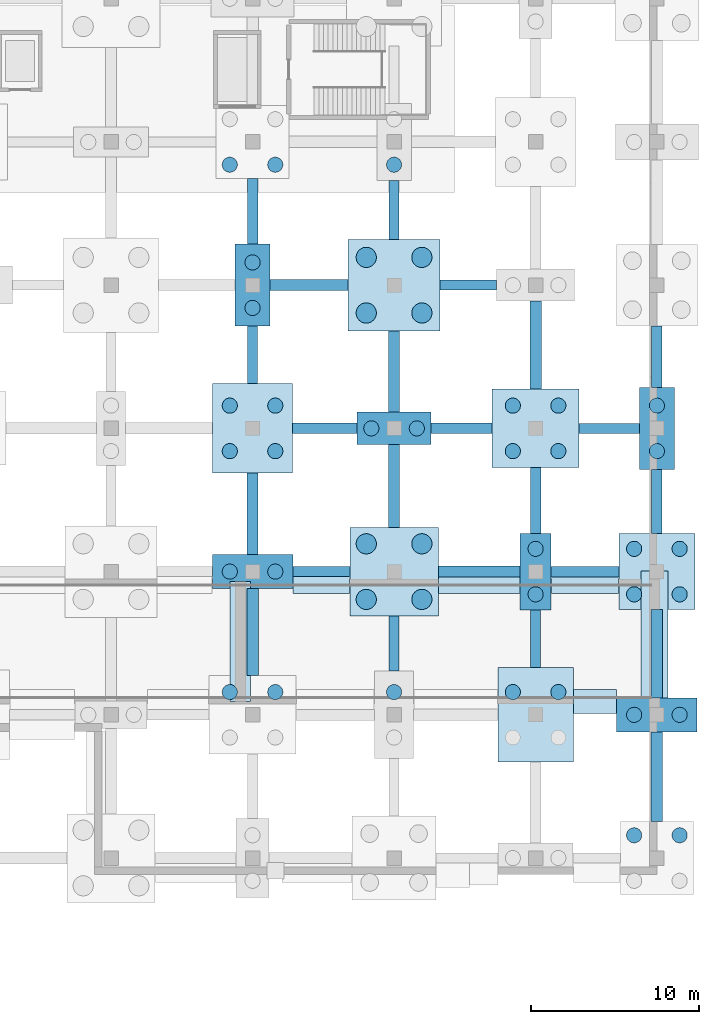
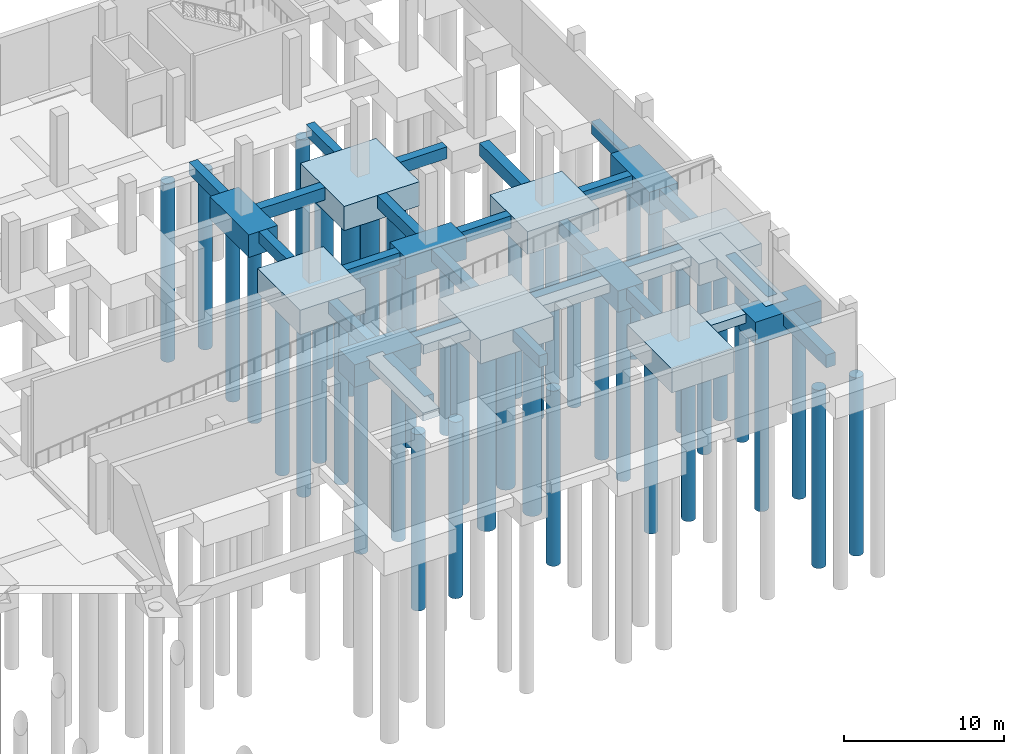
# One storey, part 19 of 34: 42 piles, 41 footings.
"""IFC4 building model written with IfcOpenShell, lengths in metres."""

import ifcopenshell
import ifcopenshell.guid

model = None  # the IFC model being written
_history = None  # IfcOwnerHistory: only IFC2X3 demands one
_inside = {}  # id of a spatial element -> (the spatial element, [elements in it])
_under = {}  # id of a project, library or spatial element -> (it, [spatial elements below it])
_declared = {}  # id of a project -> (the project, [libraries it declares])
_typed = {}  # id of a type object -> (the type object, [elements of that type])
_made_of = {}  # id of a material, layer set ... -> (it, [elements and type objects made of it])


def new_model(schema):
    """Start an empty IFC model of exactly this schema.

    Asked for "IFC4X3", IfcOpenShell would pick the latest addendum, in which some entities
    have other attributes; the version numbers below select the first issue.
    IFC2X3 requires an IfcOwnerHistory on every rooted entity: one is made here for all.
    """
    global model, _history
    if schema == "IFC4X3":
        model = ifcopenshell.file(schema_version=(4, 3, 0, 0))
    else:
        model = ifcopenshell.file(schema=schema)
    _inside.clear()
    _under.clear()
    _declared.clear()
    _typed.clear()
    _made_of.clear()
    _history = None
    if model.schema == "IFC2X3":
        org = make("IfcOrganization", Name="unknown")
        user = make(
            "IfcPersonAndOrganization",
            ThePerson=make("IfcPerson", FamilyName="unknown"),
            TheOrganization=org,
        )
        app = make(
            "IfcApplication",
            ApplicationDeveloper=org,
            Version="unknown",
            ApplicationFullName="unknown",
            ApplicationIdentifier="unknown",
        )
        _history = make(
            "IfcOwnerHistory",
            OwningUser=user,
            OwningApplication=app,
            ChangeAction="ADDED",
            CreationDate=0,
        )
    return model


def make(cls, **values):
    """One entity of the class cls with the attributes given. An attribute that is None is left unset."""
    return model.create_entity(
        cls, **{name: value for name, value in values.items() if value is not None}
    )


def rooted(cls, **values):
    """An entity with a GlobalId (a new one), such as an element, a storey or a relation."""
    return make(cls, GlobalId=ifcopenshell.guid.new(), OwnerHistory=_history, **values)


def si_unit(unit_type, name, prefix=None):
    """IfcSIUnit, for example si_unit("LENGTHUNIT", "METRE", prefix="MILLI")."""
    return make("IfcSIUnit", UnitType=unit_type, Prefix=prefix, Name=name)


def assignment(units):
    """IfcUnitAssignment: the units of a project."""
    return None if units is None else make("IfcUnitAssignment", Units=units)


def point(xyz):
    """IfcCartesianPoint."""
    return None if xyz is None else make("IfcCartesianPoint", Coordinates=xyz)


def direction(xyz):
    """IfcDirection."""
    return None if xyz is None else make("IfcDirection", DirectionRatios=xyz)


def frame(location, z_axis=None, x_axis=None):
    """IfcAxis2Placement3D, a coordinate frame: its origin and axes. An axis left out is left unset."""
    return make(
        "IfcAxis2Placement3D",
        Location=point(location),
        Axis=direction(z_axis),
        RefDirection=direction(x_axis),
    )


def frame_2d(location, x_axis=None):
    """IfcAxis2Placement2D, a coordinate frame in the plane: its origin and x axis."""
    return make(
        "IfcAxis2Placement2D", Location=point(location), RefDirection=direction(x_axis)
    )


def origin():
    """The frame at (0, 0, 0) with its axes left unset."""
    return frame((0.0, 0.0, 0.0))


def origin_2d():
    """The frame at (0, 0) in the plane with its x axis left unset."""
    return frame_2d((0.0, 0.0))


def place(relative_to, where):
    """IfcLocalPlacement: puts the frame where relative to a parent placement (None: the world)."""
    return make(
        "IfcLocalPlacement", PlacementRelTo=relative_to, RelativePlacement=where
    )


def context(
    kind, dimensions, precision=None, world=None, true_north=None, identifier=None
):
    """IfcGeometricRepresentationContext, for example the 3D "Model" context."""
    return make(
        "IfcGeometricRepresentationContext",
        ContextIdentifier=identifier,
        ContextType=kind,
        CoordinateSpaceDimension=dimensions,
        Precision=precision,
        WorldCoordinateSystem=world,
        TrueNorth=true_north,
    )


def subcontext(parent, identifier, kind, view, scale=None):
    """IfcGeometricRepresentationSubContext, for example "Body" below "Model"."""
    return make(
        "IfcGeometricRepresentationSubContext",
        ContextIdentifier=identifier,
        ContextType=kind,
        ParentContext=parent,
        TargetScale=scale,
        TargetView=view,
    )


def project(units=None, contexts=None):
    """IfcProject with its units and contexts."""
    return rooted(
        "IfcProject",
        Name="project",
        RepresentationContexts=contexts,
        UnitsInContext=assignment(units),
    )


def spatial(cls, under=None, at=None, **own):
    """A site, building, storey or space (cls), placed at a placement, below another one or the project."""
    s = rooted(cls, ObjectPlacement=at, **own)
    if under is not None:
        _under.setdefault(under.id(), (under, []))[1].append(s)
    return s


def profile(cls, at=None, kind="AREA", **sizes):
    """A parametric profile (cls). Its sizes go by their IFC names, for example OverallWidth=200.0."""
    return make(cls, ProfileType=kind, Position=at, **sizes)


def rectangle(**sizes):
    """IfcRectangleProfileDef."""
    return profile("IfcRectangleProfileDef", **sizes)


def circle(**sizes):
    """IfcCircleProfileDef."""
    return profile("IfcCircleProfileDef", **sizes)


def extrude(swept, where, along, depth):
    """IfcExtrudedAreaSolid: the profile swept, set in the frame where, extruded along a direction by depth."""
    return make(
        "IfcExtrudedAreaSolid",
        SweptArea=swept,
        Position=where,
        ExtrudedDirection=direction(along),
        Depth=depth,
    )


def shape(context_of_items, identifier, shape_type, items):
    """IfcShapeRepresentation: the items that make up one representation, for example the "Body"."""
    return make(
        "IfcShapeRepresentation",
        ContextOfItems=context_of_items,
        RepresentationIdentifier=identifier,
        RepresentationType=shape_type,
        Items=items,
    )


def material(Name=None, Category=None):
    """IfcMaterial."""
    return make("IfcMaterial", Name=Name, Category=Category)


def material_profile(
    of_material, cross_section, Name=None, Category=None, Priority=None
):
    """IfcMaterialProfile: a cross section and its material."""
    return make(
        "IfcMaterialProfile",
        Name=Name,
        Material=of_material,
        Profile=cross_section,
        Priority=Priority,
        Category=Category,
    )


def profile_set(profiles, Name=None, composite=None):
    """IfcMaterialProfileSet."""
    return make(
        "IfcMaterialProfileSet",
        Name=Name,
        MaterialProfiles=profiles,
        CompositeProfile=composite,
    )


def made_of(thing, what):
    """Note that an element or type object is made of a material, layer set ...; save() writes the relation."""
    if what is not None:
        _made_of.setdefault(what.id(), (what, []))[1].append(thing)
    return thing


def type_object(cls, material=None, **own):
    """A type object (cls), such as IfcWallType, which elements share."""
    return made_of(rooted(cls, **own), material)


def element(
    cls,
    number,
    at=None,
    inside=None,
    cuts=None,
    type_object=None,
    material=None,
    context=None,
    identifier="Body",
    shape_type=None,
    held_by="IfcProductDefinitionShape",
    body=None,
    shapes=None,
    **own,
):
    """One element of the class cls, such as IfcWall. Its Tag is "e" and its number.

    at: its placement. inside: the storey or other place that contains it. cuts: it is an
    opening in that element (IfcRelVoidsElement). A single representation is given by context,
    identifier, shape_type and body (its items); several are given by shapes. held_by: the class
    of the entity that holds the representations. save() writes the other relations.
    """
    e = rooted(cls, Tag="e%d" % number, ObjectPlacement=at, **own)
    if body is not None:
        shapes = [shape(context, identifier, shape_type, body)]
    if shapes is not None:
        e.Representation = make(held_by, Representations=shapes)
    if inside is not None:
        _inside.setdefault(inside.id(), (inside, []))[1].append(e)
    if cuts is not None:
        rooted(
            "IfcRelVoidsElement", RelatingBuildingElement=cuts, RelatedOpeningElement=e
        )
    if type_object is not None:
        _typed.setdefault(type_object.id(), (type_object, []))[1].append(e)
    return made_of(e, material)


def aggregate(whole, parts):
    """IfcRelAggregates: a whole, such as a stair, and the parts it consists of."""
    return rooted("IfcRelAggregates", RelatingObject=whole, RelatedObjects=parts)


def save(model, path):
    """Write the relations noted so far, then the file.

    IfcRelAggregates (storeys below a building ...), IfcRelContainedInSpatialStructure (elements
    in a storey), IfcRelDefinesByType, IfcRelAssociatesMaterial and IfcRelDeclares: one each for
    every whole, place, type object, material and project.
    """
    for whole, parts in _under.values():
        aggregate(whole, parts)
    for where, things in _inside.values():
        rooted(
            "IfcRelContainedInSpatialStructure",
            RelatedElements=things,
            RelatingStructure=where,
        )
    for kind, things in _typed.values():
        rooted("IfcRelDefinesByType", RelatedObjects=things, RelatingType=kind)
    for what, things in _made_of.values():
        rooted("IfcRelAssociatesMaterial", RelatedObjects=things, RelatingMaterial=what)
    for by, libraries in _declared.values():
        rooted("IfcRelDeclares", RelatingContext=by, RelatedDefinitions=libraries)
    model.write(path)


model = new_model("IFC4")

# Units and contexts
model_context = context("Model", 3, precision=1e-05, world=origin(), true_north=direction((0.0, 1.0)))
body_context = subcontext(model_context, "Body", "Model", "MODEL_VIEW")
ifc_project = project(units=[si_unit("LENGTHUNIT", "METRE"), si_unit("AREAUNIT", "SQUARE_METRE"), si_unit("VOLUMEUNIT", "CUBIC_METRE"), si_unit("PLANEANGLEUNIT", "RADIAN"), si_unit("MASSUNIT", "GRAM", prefix="KILO")], contexts=[model_context])

# Site, building, storey
site_placement = place(None, origin())
site = spatial("IfcSite", under=ifc_project, at=site_placement, CompositionType="ELEMENT")
building_placement = place(site_placement, origin())
building = spatial("IfcBuilding", under=site, at=building_placement, Name="Solvento Point Concert Hall", CompositionType="ELEMENT")
storey_placement = place(building_placement, frame((0.0, 0.0, -5.39990234375)))
storey = spatial("IfcBuildingStorey", under=building, at=storey_placement, Name="B01", CompositionType="ELEMENT", Elevation=-5.39990234375)

# Piles
ifc_material_1 = material(Name="Concrete C40/50", Category="concrete")
ifc_material_profile_1 = material_profile(ifc_material_1, circle(Radius=0.60009765625, at=origin_2d()), Name="BP-1200")
ifc_profile_set_1 = profile_set([ifc_material_profile_1], Name="Concrete C40/50")
pile_type_1 = type_object("IfcPileType", Name="BoredPile_1200", PredefinedType="BORED", material=ifc_profile_set_1)
for number, where, z_axis, x_axis, name in (
    (1, (198.75, 100.35009765625, -1.7001953125), (0.0, 0.0, -1.0), (1.0, 0.0, 0.0), "Bored pile BoredPile_1200 #745"),
    (2, (202.050048828125, 100.35009765625, -1.7001953125), (0.0, 0.0, -1.0), (1.0, 0.0, 0.0), "Bored pile BoredPile_1200 #746"),
    (3, (198.75, 103.64990234375, -1.7001953125), (0.0, 0.0, -1.0), (1.0, 0.0, 0.0), "Bored pile BoredPile_1200 #747"),
    (4, (202.050048828125, 103.64990234375, -1.7001953125), (0.0, 0.0, -1.0), (1.0, 0.0, 0.0), "Bored pile BoredPile_1200 #748"),
):
    element("IfcPile", number, at=place(storey_placement, frame(where, z_axis=z_axis, x_axis=x_axis)), inside=storey, type_object=pile_type_1, Name=name, PredefinedType="BORED", context=body_context, shape_type="SweptSolid", body=[
        extrude(circle(Radius=0.60009765625, at=origin_2d()), origin(), (0.0, 0.0, 1.0), 13.39990234375),
    ])
for number, where, z_axis, x_axis, name in (
    (5, (198.75, 117.35009765625, -1.75), (0.0, 0.0, -1.0), (1.0, 0.0, 0.0), "Bored pile BoredPile_1200 #751"),
    (6, (202.050048828125, 117.35009765625, -1.75), (0.0, 0.0, -1.0), (1.0, 0.0, 0.0), "Bored pile BoredPile_1200 #752"),
    (7, (198.75, 120.64990234375, -1.75), (0.0, 0.0, -1.0), (1.0, 0.0, 0.0), "Bored pile BoredPile_1200 #753"),
    (8, (202.050048828125, 120.64990234375, -1.75), (0.0, 0.0, -1.0), (1.0, 0.0, 0.0), "Bored pile BoredPile_1200 #754"),
):
    element("IfcPile", number, at=place(storey_placement, frame(where, z_axis=z_axis, x_axis=x_axis)), inside=storey, type_object=pile_type_1, Name=name, PredefinedType="BORED", context=body_context, shape_type="SweptSolid", body=[
        extrude(circle(Radius=0.60009765625, at=origin_2d()), origin(), (0.0, 0.0, 1.0), 13.35009765625),
    ])
ifc_material_2 = material(Name="Concrete C40/50", Category="concrete")
ifc_material_profile_2 = material_profile(ifc_material_2, circle(Radius=0.449951171875, at=origin_2d()), Name="BP-900")
ifc_profile_set_2 = profile_set([ifc_material_profile_2], Name="Concrete C40/50")
pile_type_2 = type_object("IfcPileType", Name="BoredPile_900", PredefinedType="BORED", material=ifc_profile_set_2)
for number, where, z_axis, x_axis, name in (
    (9, (190.64990234375, 94.85009765625, -1.64013671875), (0.0, 0.0, -1.0), (1.0, 0.0, 0.0), "Bored pile BoredPile_900 #711"),
    (10, (193.35009765625, 94.85009765625, -1.64013671875), (0.0, 0.0, -1.0), (1.0, 0.0, 0.0), "Bored pile BoredPile_900 #712"),
):
    element("IfcPile", number, at=place(storey_placement, frame(where, z_axis=z_axis, x_axis=x_axis)), inside=storey, type_object=pile_type_2, Name=name, PredefinedType="BORED", context=body_context, shape_type="SweptSolid", body=[
        extrude(circle(Radius=0.449951171875, at=origin_2d()), origin(), (0.0, 0.0, 1.0), 13.4599609375),
    ])
for number, where, z_axis, x_axis, name in (
    (11, (190.64990234375, 102.0, -1.60009765625), (0.0, 0.0, -1.0), (1.0, 0.0, 0.0), "Bored pile BoredPile_900 #713"),
    (12, (193.35009765625, 102.0, -1.60009765625), (0.0, 0.0, -1.0), (1.0, 0.0, 0.0), "Bored pile BoredPile_900 #714"),
):
    element("IfcPile", number, at=place(storey_placement, frame(where, z_axis=z_axis, x_axis=x_axis)), inside=storey, type_object=pile_type_2, Name=name, PredefinedType="BORED", context=body_context, shape_type="SweptSolid", body=[
        extrude(circle(Radius=0.449951171875, at=origin_2d()), origin(), (0.0, 0.0, 1.0), 13.5),
    ])
for number, where, z_axis, x_axis, name in (
    (13, (190.64990234375, 109.14990234375, -1.760009765625), (0.0, 0.0, -1.0), (1.0, 0.0, 0.0), "Bored pile BoredPile_900 #715"),
    (14, (193.35009765625, 109.14990234375, -1.760009765625), (0.0, 0.0, -1.0), (1.0, 0.0, 0.0), "Bored pile BoredPile_900 #716"),
    (15, (190.64990234375, 111.85009765625, -1.760009765625), (0.0, 0.0, -1.0), (1.0, 0.0, 0.0), "Bored pile BoredPile_900 #717"),
    (16, (193.35009765625, 111.85009765625, -1.760009765625), (0.0, 0.0, -1.0), (1.0, 0.0, 0.0), "Bored pile BoredPile_900 #718"),
):
    element("IfcPile", number, at=place(storey_placement, frame(where, z_axis=z_axis, x_axis=x_axis)), inside=storey, type_object=pile_type_2, Name=name, PredefinedType="BORED", context=body_context, shape_type="SweptSolid", body=[
        extrude(circle(Radius=0.449951171875, at=origin_2d()), origin(), (0.0, 0.0, 1.0), 13.340087890625),
    ])
for number, where, z_axis, x_axis, name in (
    (17, (192.0, 117.64990234375, -1.6201171875), (0.0, 0.0, -1.0), (1.0, 0.0, 0.0), "Bored pile BoredPile_900 #719"),
    (18, (192.0, 120.35009765625, -1.6201171875), (0.0, 0.0, -1.0), (1.0, 0.0, 0.0), "Bored pile BoredPile_900 #720"),
):
    element("IfcPile", number, at=place(storey_placement, frame(where, z_axis=z_axis, x_axis=x_axis)), inside=storey, type_object=pile_type_2, Name=name, PredefinedType="BORED", context=body_context, shape_type="SweptSolid", body=[
        extrude(circle(Radius=0.449951171875, at=origin_2d()), origin(), (0.0, 0.0, 1.0), 13.47998046875),
    ])
for number, where, z_axis, x_axis, name in (
    (19, (190.64990234375, 126.14990234375, -1.5), (0.0, 0.0, -1.0), (1.0, 0.0, 0.0), "Bored pile BoredPile_900 #721"),
    (20, (193.35009765625, 126.14990234375, -1.5), (0.0, 0.0, -1.0), (1.0, 0.0, 0.0), "Bored pile BoredPile_900 #722"),
):
    element("IfcPile", number, at=place(storey_placement, frame(where, z_axis=z_axis, x_axis=x_axis)), inside=storey, type_object=pile_type_2, Name=name, PredefinedType="BORED", context=body_context, shape_type="SweptSolid", body=[
        extrude(circle(Radius=0.449951171875, at=origin_2d()), origin(), (0.0, 0.0, 1.0), 13.60009765625),
    ])
pile_1_placement = place(storey_placement, frame((200.39990234375, 94.85009765625, -1.739990234375), z_axis=(0.0, 0.0, -1.0), x_axis=(1.0, 0.0, 0.0)))
element("IfcPile", 21, at=pile_1_placement, inside=storey, type_object=pile_type_2, Name="Bored pile BoredPile_900 #744", PredefinedType="BORED", context=body_context, shape_type="SweptSolid", body=[
    extrude(circle(Radius=0.449951171875, at=origin_2d()), origin(), (0.0, 0.0, 1.0), 13.360107421875),
])
for number, where, z_axis, x_axis, name in (
    (22, (199.050048828125, 110.5, -1.5400390625), (0.0, 0.0, -1.0), (1.0, 0.0, 0.0), "Bored pile BoredPile_900 #749"),
    (23, (201.75, 110.5, -1.5400390625), (0.0, 0.0, -1.0), (1.0, 0.0, 0.0), "Bored pile BoredPile_900 #750"),
):
    element("IfcPile", number, at=place(storey_placement, frame(where, z_axis=z_axis, x_axis=x_axis)), inside=storey, type_object=pile_type_2, Name=name, PredefinedType="BORED", context=body_context, shape_type="SweptSolid", body=[
        extrude(circle(Radius=0.449951171875, at=origin_2d()), origin(), (0.0, 0.0, 1.0), 13.56005859375),
    ])
pile_2_placement = place(storey_placement, frame((200.39990234375, 126.14990234375, -1.56005859375), z_axis=(0.0, 0.0, -1.0), x_axis=(1.0, 0.0, 0.0)))
element("IfcPile", 24, at=pile_2_placement, inside=storey, type_object=pile_type_2, Name="Bored pile BoredPile_900 #755", PredefinedType="BORED", context=body_context, shape_type="SweptSolid", body=[
    extrude(circle(Radius=0.449951171875, at=origin_2d()), origin(), (0.0, 0.0, 1.0), 13.5400390625),
])
for number, where, z_axis, x_axis, name in (
    (25, (207.449951171875, 94.85009765625, -1.72021484375), (0.0, 0.0, -1.0), (1.0, 0.0, 0.0), "Bored pile BoredPile_900 #777"),
    (26, (210.14990234375, 94.85009765625, -1.72021484375), (0.0, 0.0, -1.0), (1.0, 0.0, 0.0), "Bored pile BoredPile_900 #778"),
):
    element("IfcPile", number, at=place(storey_placement, frame(where, z_axis=z_axis, x_axis=x_axis)), inside=storey, type_object=pile_type_2, Name=name, PredefinedType="BORED", context=body_context, shape_type="SweptSolid", body=[
        extrude(circle(Radius=0.449951171875, at=origin_2d()), origin(), (0.0, 0.0, 1.0), 13.3798828125),
    ])
for number, where, z_axis, x_axis, name in (
    (27, (208.800048828125, 100.64990234375, -1.52001953125), (0.0, 0.0, -1.0), (1.0, 0.0, 0.0), "Bored pile BoredPile_900 #779"),
    (28, (208.800048828125, 103.35009765625, -1.52001953125), (0.0, 0.0, -1.0), (1.0, 0.0, 0.0), "Bored pile BoredPile_900 #780"),
):
    element("IfcPile", number, at=place(storey_placement, frame(where, z_axis=z_axis, x_axis=x_axis)), inside=storey, type_object=pile_type_2, Name=name, PredefinedType="BORED", context=body_context, shape_type="SweptSolid", body=[
        extrude(circle(Radius=0.449951171875, at=origin_2d()), origin(), (0.0, 0.0, 1.0), 13.580078125),
    ])
for number, where, z_axis, x_axis, name in (
    (29, (207.449951171875, 109.14990234375, -1.64013671875), (0.0, 0.0, -1.0), (1.0, 0.0, 0.0), "Bored pile BoredPile_900 #781"),
    (30, (210.14990234375, 109.14990234375, -1.64013671875), (0.0, 0.0, -1.0), (1.0, 0.0, 0.0), "Bored pile BoredPile_900 #782"),
    (31, (207.449951171875, 111.85009765625, -1.64013671875), (0.0, 0.0, -1.0), (1.0, 0.0, 0.0), "Bored pile BoredPile_900 #783"),
    (32, (210.14990234375, 111.85009765625, -1.64013671875), (0.0, 0.0, -1.0), (1.0, 0.0, 0.0), "Bored pile BoredPile_900 #784"),
):
    element("IfcPile", number, at=place(storey_placement, frame(where, z_axis=z_axis, x_axis=x_axis)), inside=storey, type_object=pile_type_2, Name=name, PredefinedType="BORED", context=body_context, shape_type="SweptSolid", body=[
        extrude(circle(Radius=0.449951171875, at=origin_2d()), origin(), (0.0, 0.0, 1.0), 13.4599609375),
    ])
for number, where, z_axis, x_axis, name in (
    (33, (214.64990234375, 86.35009765625, -1.5), (0.0, 0.0, -1.0), (1.0, 0.0, 0.0), "Bored pile BoredPile_900 #795"),
    (34, (217.35009765625, 86.35009765625, -1.5), (0.0, 0.0, -1.0), (1.0, 0.0, 0.0), "Bored pile BoredPile_900 #796"),
):
    element("IfcPile", number, at=place(storey_placement, frame(where, z_axis=z_axis, x_axis=x_axis)), inside=storey, type_object=pile_type_2, Name=name, PredefinedType="BORED", context=body_context, shape_type="SweptSolid", body=[
        extrude(circle(Radius=0.449951171875, at=origin_2d()), origin(), (0.0, 0.0, 1.0), 13.60009765625),
    ])
for number, where, z_axis, x_axis, name in (
    (35, (214.64990234375, 93.5, -1.60009765625), (0.0, 0.0, -1.0), (1.0, 0.0, 0.0), "Bored pile BoredPile_900 #797"),
    (36, (217.35009765625, 93.5, -1.60009765625), (0.0, 0.0, -1.0), (1.0, 0.0, 0.0), "Bored pile BoredPile_900 #798"),
):
    element("IfcPile", number, at=place(storey_placement, frame(where, z_axis=z_axis, x_axis=x_axis)), inside=storey, type_object=pile_type_2, Name=name, PredefinedType="BORED", context=body_context, shape_type="SweptSolid", body=[
        extrude(circle(Radius=0.449951171875, at=origin_2d()), origin(), (0.0, 0.0, 1.0), 13.5),
    ])
for number, where, z_axis, x_axis, name in (
    (37, (214.64990234375, 100.64990234375, -1.550048828125), (0.0, 0.0, -1.0), (1.0, 0.0, 0.0), "Bored pile BoredPile_900 #799"),
    (38, (217.35009765625, 100.64990234375, -1.550048828125), (0.0, 0.0, -1.0), (1.0, 0.0, 0.0), "Bored pile BoredPile_900 #800"),
    (39, (214.64990234375, 103.35009765625, -1.550048828125), (0.0, 0.0, -1.0), (1.0, 0.0, 0.0), "Bored pile BoredPile_900 #801"),
    (40, (217.35009765625, 103.35009765625, -1.550048828125), (0.0, 0.0, -1.0), (1.0, 0.0, 0.0), "Bored pile BoredPile_900 #802"),
):
    element("IfcPile", number, at=place(storey_placement, frame(where, z_axis=z_axis, x_axis=x_axis)), inside=storey, type_object=pile_type_2, Name=name, PredefinedType="BORED", context=body_context, shape_type="SweptSolid", body=[
        extrude(circle(Radius=0.449951171875, at=origin_2d()), origin(), (0.0, 0.0, 1.0), 13.550048828125),
    ])
for number, where, z_axis, x_axis, name in (
    (41, (216.0, 109.14990234375, -1.6201171875), (0.0, 0.0, -1.0), (1.0, 0.0, 0.0), "Bored pile BoredPile_900 #803"),
    (42, (216.0, 111.85009765625, -1.6201171875), (0.0, 0.0, -1.0), (1.0, 0.0, 0.0), "Bored pile BoredPile_900 #804"),
):
    element("IfcPile", number, at=place(storey_placement, frame(where, z_axis=z_axis, x_axis=x_axis)), inside=storey, type_object=pile_type_2, Name=name, PredefinedType="BORED", context=body_context, shape_type="SweptSolid", body=[
        extrude(circle(Radius=0.449951171875, at=origin_2d()), origin(), (0.0, 0.0, 1.0), 13.47998046875),
    ])

# Footings
ifc_material_3 = material(Name="Concrete C40/50", Category="concrete")
footing_type_1 = type_object("IfcFootingType", Name="PileCap_2D", PredefinedType="PILE_CAP", material=ifc_material_3)
footing_1_placement = place(storey_placement, frame((208.800048828125, 102.0, -1.6201171875), z_axis=(0.0, 0.0, 1.0), x_axis=(1.0, 0.0, 0.0)))
element("IfcFooting", 43, at=footing_1_placement, inside=storey, type_object=footing_type_1, Name="Pile cap PC-2D at G-26-N", PredefinedType="PILE_CAP", context=body_context, shape_type="SweptSolid", body=[
    extrude(rectangle(XDim=1.840087890625, YDim=4.5400390625, at=origin_2d()), origin(), (0.0, 0.0, 1.0), 1.6201171875),
])
ifc_material_4 = material(Name="Concrete C40/50", Category="concrete")
footing_type_2 = type_object("IfcFootingType", Name="PileCap_2G", PredefinedType="PILE_CAP", material=ifc_material_4)
for number, where, z_axis, x_axis, name in (
    (44, (192.0, 102.0, -1.7001953125), (0.0, 0.0, 1.0), (1.0, 0.0, 0.0), "Pile cap PC-2G at G-24-N"),
    (45, (216.0, 93.5, -1.7001953125), (0.0, 0.0, 1.0), (1.0, 0.0, 0.0), "Pile cap PC-2G at G-27-M"),
):
    element("IfcFooting", number, at=place(storey_placement, frame(where, z_axis=z_axis, x_axis=x_axis)), inside=storey, type_object=footing_type_2, Name=name, PredefinedType="PILE_CAP", context=body_context, shape_type="SweptSolid", body=[
        extrude(rectangle(XDim=4.780029296875, YDim=2.02001953125, at=origin_2d()), origin(), (0.0, 0.0, 1.0), 1.699951171875),
    ])
ifc_material_5 = material(Name="Concrete C40/50", Category="concrete")
footing_type_3 = type_object("IfcFootingType", Name="PileCap_2H", PredefinedType="PILE_CAP", material=ifc_material_5)
for number, where, z_axis, x_axis, name in (
    (46, (192.0, 119.0, -1.72021484375), (0.0, 0.0, 1.0), (1.0, 0.0, 0.0), "Pile cap PC-2H at G-24-Q"),
    (47, (216.0, 110.5, -1.72021484375), (0.0, 0.0, 1.0), (1.0, 0.0, 0.0), "Pile cap PC-2H at G-27-P"),
):
    element("IfcFooting", number, at=place(storey_placement, frame(where, z_axis=z_axis, x_axis=x_axis)), inside=storey, type_object=footing_type_3, Name=name, PredefinedType="PILE_CAP", context=body_context, shape_type="SweptSolid", body=[
        extrude(rectangle(XDim=2.080078125, YDim=4.860107421875, at=origin_2d()), origin(), (0.0, 0.0, 1.0), 1.719970703125),
    ])
ifc_material_6 = material(Name="Concrete C40/50", Category="concrete")
footing_type_4 = type_object("IfcFootingType", Name="PileCap_2N", PredefinedType="PILE_CAP", material=ifc_material_6)
footing_2_placement = place(storey_placement, frame((200.39990234375, 110.5, -1.64013671875), z_axis=(0.0, 0.0, 1.0), x_axis=(1.0, 0.0, 0.0)))
element("IfcFooting", 48, at=footing_2_placement, inside=storey, type_object=footing_type_4, Name="Pile cap PC-2N at G-25-P", PredefinedType="PILE_CAP", context=body_context, shape_type="SweptSolid", body=[
    extrude(rectangle(XDim=4.39990234375, YDim=1.93994140625, at=origin_2d()), origin(), (0.0, 0.0, 1.0), 1.639892578125),
])
ifc_material_7 = material(Name="Concrete C40/50", Category="concrete")
footing_type_5 = type_object("IfcFootingType", Name="PileCap_4B", PredefinedType="PILE_CAP", material=ifc_material_7)
footing_3_placement = place(storey_placement, frame((216.0, 102.0, -1.650146484375), z_axis=(0.0, 0.0, 1.0), x_axis=(1.0, 0.0, 0.0)))
element("IfcFooting", 49, at=footing_3_placement, inside=storey, type_object=footing_type_5, Name="Pile cap PC-4B at G-27-N", PredefinedType="PILE_CAP", context=body_context, shape_type="SweptSolid", body=[
    extrude(rectangle(XDim=4.5, YDim=4.5, at=origin_2d()), origin(), (0.0, 0.0, 1.0), 1.64990234375),
])
ifc_material_8 = material(Name="Concrete C40/50", Category="concrete")
footing_type_6 = type_object("IfcFootingType", Name="PileCap_4E", PredefinedType="PILE_CAP", material=ifc_material_8)
footing_4_placement = place(storey_placement, frame((200.39990234375, 102.0, -1.80029296875), z_axis=(0.0, 0.0, 1.0), x_axis=(1.0, 0.0, 0.0)))
element("IfcFooting", 50, at=footing_4_placement, inside=storey, type_object=footing_type_6, Name="Pile cap PC-4E at G-25-N", PredefinedType="PILE_CAP", context=body_context, shape_type="SweptSolid", body=[
    extrude(rectangle(XDim=5.25, YDim=5.25, at=origin_2d()), origin(), (0.0, 0.0, 1.0), 1.800048828125),
])
ifc_material_9 = material(Name="Concrete C40/50", Category="concrete")
footing_type_7 = type_object("IfcFootingType", Name="PileCap_4F", PredefinedType="PILE_CAP", material=ifc_material_9)
footing_5_placement = place(storey_placement, frame((200.39990234375, 119.0, -1.85009765625), z_axis=(0.0, 0.0, 1.0), x_axis=(1.0, 0.0, 0.0)))
element("IfcFooting", 51, at=footing_5_placement, inside=storey, type_object=footing_type_7, Name="Pile cap PC-4F at G-25-Q", PredefinedType="PILE_CAP", context=body_context, shape_type="SweptSolid", body=[
    extrude(rectangle(XDim=5.43994140625, YDim=5.43994140625, at=origin_2d()), origin(), (0.0, 0.0, 1.0), 1.85009765625),
])
ifc_material_10 = material(Name="Concrete C40/50", Category="concrete")
footing_type_8 = type_object("IfcFootingType", Name="PileCap_4K", PredefinedType="PILE_CAP", material=ifc_material_10)
footing_6_placement = place(storey_placement, frame((208.800048828125, 93.5, -1.8203125), z_axis=(0.0, 0.0, 1.0), x_axis=(1.0, 0.0, 0.0)))
element("IfcFooting", 52, at=footing_6_placement, inside=storey, type_object=footing_type_8, Name="Pile cap PC-4K at G-26-M", PredefinedType="PILE_CAP", context=body_context, shape_type="SweptSolid", body=[
    extrude(rectangle(XDim=4.47998046875, YDim=5.60009765625, at=origin_2d()), origin(), (0.0, 0.0, 1.0), 1.820068359375),
])
ifc_material_11 = material(Name="Concrete C40/50", Category="concrete")
footing_type_9 = type_object("IfcFootingType", Name="PileCap_4L", PredefinedType="PILE_CAP", material=ifc_material_11)
footing_7_placement = place(storey_placement, frame((208.800048828125, 110.5, -1.740234375), z_axis=(0.0, 0.0, 1.0), x_axis=(1.0, 0.0, 0.0)))
element("IfcFooting", 53, at=footing_7_placement, inside=storey, type_object=footing_type_9, Name="Pile cap PC-4L at G-26-P", PredefinedType="PILE_CAP", context=body_context, shape_type="SweptSolid", body=[
    extrude(rectangle(XDim=5.159912109375, YDim=4.659912109375, at=origin_2d()), origin(), (0.0, 0.0, 1.0), 1.739990234375),
])
ifc_material_12 = material(Name="Concrete C40/50", Category="concrete")
footing_type_10 = type_object("IfcFootingType", Name="PileCap_4M", PredefinedType="PILE_CAP", material=ifc_material_12)
footing_8_placement = place(storey_placement, frame((192.0, 110.5, -1.8603515625), z_axis=(0.0, 0.0, 1.0), x_axis=(1.0, 0.0, 0.0)))
element("IfcFooting", 54, at=footing_8_placement, inside=storey, type_object=footing_type_10, Name="Pile cap PC-4M at G-24-P", PredefinedType="PILE_CAP", context=body_context, shape_type="SweptSolid", body=[
    extrude(rectangle(XDim=4.739990234375, YDim=5.300048828125, at=origin_2d()), origin(), (0.0, 0.0, 1.0), 1.860107421875),
])
ifc_material_13 = material(Name="Concrete C40/50", Category="concrete")
footing_type_11 = type_object("IfcFootingType", Name="StripFooting_1200x600", PredefinedType="STRIP_FOOTING", material=ifc_material_13)
footing_9_placement = place(storey_placement, frame((191.27490234375, 97.85009765625, -0.60009765625), z_axis=(0.0, 0.0, 1.0), x_axis=(0.0, 1.0, 0.0)))
element("IfcFooting", 55, at=footing_9_placement, inside=storey, type_object=footing_type_11, Name="Strip footing SF-01", PredefinedType="STRIP_FOOTING", context=body_context, shape_type="SweptSolid", body=[
    extrude(rectangle(XDim=7.10009765625, YDim=1.199951171875, at=origin_2d()), origin(), (0.0, 0.0, 1.0), 0.60009765625),
])
ifc_material_14 = material(Name="Concrete C40/50", Category="concrete")
footing_type_12 = type_object("IfcFootingType", Name="StripFooting_1400x700", PredefinedType="STRIP_FOOTING", material=ifc_material_14)
footing_10_placement = place(storey_placement, frame((212.324951171875, 94.2900390625, -0.7001953125), z_axis=(0.0, 0.0, 1.0), x_axis=(1.0, 0.0, 0.0)))
element("IfcFooting", 56, at=footing_10_placement, inside=storey, type_object=footing_type_12, Name="Strip footing SF-02", PredefinedType="STRIP_FOOTING", context=body_context, shape_type="SweptSolid", body=[
    extrude(rectangle(XDim=2.530029296875, YDim=1.39990234375, at=origin_2d()), origin(), (0.0, 0.0, 1.0), 0.699951171875),
])
footing_11_placement = place(storey_placement, frame((196.08251953125, 101.409912109375, -0.7001953125), z_axis=(0.0, 0.0, 1.0), x_axis=(1.0, 0.0, 0.0)))
element("IfcFooting", 57, at=footing_11_placement, inside=storey, type_object=footing_type_12, Name="Strip footing SF-02", PredefinedType="STRIP_FOOTING", context=body_context, shape_type="SweptSolid", body=[
    extrude(rectangle(XDim=3.344970703125, YDim=1.39990234375, at=origin_2d()), origin(), (0.0, 0.0, 1.0), 0.699951171875),
])
footing_12_placement = place(storey_placement, frame((205.452392578125, 101.409912109375, -0.7001953125), z_axis=(0.0, 0.0, 1.0), x_axis=(1.0, 0.0, 0.0)))
element("IfcFooting", 58, at=footing_12_placement, inside=storey, type_object=footing_type_12, Name="Strip footing SF-02", PredefinedType="STRIP_FOOTING", context=body_context, shape_type="SweptSolid", body=[
    extrude(rectangle(XDim=4.81494140625, YDim=1.39990234375, at=origin_2d()), origin(), (0.0, 0.0, 1.0), 0.699951171875),
])
footing_13_placement = place(storey_placement, frame((211.735107421875, 101.409912109375, -0.7001953125), z_axis=(0.0, 0.0, 1.0), x_axis=(1.0, 0.0, 0.0)))
element("IfcFooting", 59, at=footing_13_placement, inside=storey, type_object=footing_type_12, Name="Strip footing SF-02", PredefinedType="STRIP_FOOTING", context=body_context, shape_type="SweptSolid", body=[
    extrude(rectangle(XDim=3.989990234375, YDim=1.39990234375, at=origin_2d()), origin(), (0.0, 0.0, 1.0), 0.699951171875),
])
ifc_material_15 = material(Name="Concrete C40/50", Category="concrete")
footing_type_13 = type_object("IfcFootingType", Name="StripFooting_1600x750", PredefinedType="STRIP_FOOTING", material=ifc_material_15)
footing_14_placement = place(storey_placement, frame((215.85009765625, 97.85009765625, -0.75), z_axis=(0.0, 0.0, 1.0), x_axis=(0.0, 1.0, 0.0)))
element("IfcFooting", 60, at=footing_14_placement, inside=storey, type_object=footing_type_13, Name="Strip footing SF-03", PredefinedType="STRIP_FOOTING", context=body_context, shape_type="SweptSolid", body=[
    extrude(rectangle(XDim=8.39990234375, YDim=1.60009765625, at=origin_2d()), origin(), (0.0, 0.0, 1.0), 0.75),
])
ifc_material_16 = material(Name="Concrete C40/50", Category="concrete")
footing_type_14 = type_object("IfcFootingType", Name="TieBeam_600x900", PredefinedType="FOOTING_BEAM", material=ifc_material_16)
footing_15_placement = place(storey_placement, frame((196.08251953125, 102.0, -0.900146484375), z_axis=(0.0, 0.0, 1.0), x_axis=(1.0, 0.0, 0.0)))
element("IfcFooting", 61, at=footing_15_placement, inside=storey, type_object=footing_type_14, Name="Seismic tie beam GB-01", PredefinedType="FOOTING_BEAM", context=body_context, shape_type="SweptSolid", body=[
    extrude(rectangle(XDim=3.385009765625, YDim=0.60009765625, at=origin_2d()), origin(), (0.0, 0.0, 1.0), 0.89990234375),
])
footing_16_placement = place(storey_placement, frame((213.169921875, 110.5, -0.900146484375), z_axis=(0.0, 0.0, 1.0), x_axis=(1.0, 0.0, 0.0)))
element("IfcFooting", 62, at=footing_16_placement, inside=storey, type_object=footing_type_14, Name="Seismic tie beam GB-01", PredefinedType="FOOTING_BEAM", context=body_context, shape_type="SweptSolid", body=[
    extrude(rectangle(XDim=3.580078125, YDim=0.60009765625, at=origin_2d()), origin(), (0.0, 0.0, 1.0), 0.89990234375),
])
footing_17_placement = place(storey_placement, frame((204.804931640625, 119.0, -0.900146484375), z_axis=(0.0, 0.0, 1.0), x_axis=(1.0, 0.0, 0.0)))
element("IfcFooting", 63, at=footing_17_placement, inside=storey, type_object=footing_type_14, Name="Seismic tie beam GB-01", PredefinedType="FOOTING_BEAM", context=body_context, shape_type="SweptSolid", body=[
    extrude(rectangle(XDim=3.3701171875, YDim=0.60009765625, at=origin_2d()), origin(), (0.0, 0.0, 1.0), 0.89990234375),
])
footing_18_placement = place(storey_placement, frame((192.0, 114.860107421875, -0.900146484375), z_axis=(0.0, 0.0, 1.0), x_axis=(0.0, 1.0, 0.0)))
element("IfcFooting", 64, at=footing_18_placement, inside=storey, type_object=footing_type_14, Name="Seismic tie beam GB-01", PredefinedType="FOOTING_BEAM", context=body_context, shape_type="SweptSolid", body=[
    extrude(rectangle(XDim=3.419921875, YDim=0.60009765625, at=origin_2d()), origin(), (0.0, 0.0, 1.0), 0.89990234375),
])
footing_19_placement = place(storey_placement, frame((200.39990234375, 97.732421875, -0.900146484375), z_axis=(0.0, 0.0, 1.0), x_axis=(0.0, 1.0, 0.0)))
element("IfcFooting", 65, at=footing_19_placement, inside=storey, type_object=footing_type_14, Name="Seismic tie beam GB-01", PredefinedType="FOOTING_BEAM", context=body_context, shape_type="SweptSolid", body=[
    extrude(rectangle(XDim=3.284912109375, YDim=0.60009765625, at=origin_2d()), origin(), (0.0, 0.0, 1.0), 0.89990234375),
])
footing_20_placement = place(storey_placement, frame((200.39990234375, 123.465087890625, -0.900146484375), z_axis=(0.0, 0.0, 1.0), x_axis=(0.0, 1.0, 0.0)))
element("IfcFooting", 66, at=footing_20_placement, inside=storey, type_object=footing_type_14, Name="Seismic tie beam GB-01", PredefinedType="FOOTING_BEAM", context=body_context, shape_type="SweptSolid", body=[
    extrude(rectangle(XDim=3.489990234375, YDim=0.60009765625, at=origin_2d()), origin(), (0.0, 0.0, 1.0), 0.89990234375),
])
footing_21_placement = place(storey_placement, frame((208.800048828125, 98.014892578125, -0.900146484375), z_axis=(0.0, 0.0, 1.0), x_axis=(0.0, 1.0, 0.0)))
element("IfcFooting", 67, at=footing_21_placement, inside=storey, type_object=footing_type_14, Name="Seismic tie beam GB-01", PredefinedType="FOOTING_BEAM", context=body_context, shape_type="SweptSolid", body=[
    extrude(rectangle(XDim=3.429931640625, YDim=0.60009765625, at=origin_2d()), origin(), (0.0, 0.0, 1.0), 0.89990234375),
])
ifc_material_17 = material(Name="Concrete C40/50", Category="concrete")
footing_type_15 = type_object("IfcFootingType", Name="TieBeam_620x920", PredefinedType="FOOTING_BEAM", material=ifc_material_17)
footing_22_placement = place(storey_placement, frame((211.735107421875, 102.0, -0.920166015625), z_axis=(0.0, 0.0, 1.0), x_axis=(1.0, 0.0, 0.0)))
element("IfcFooting", 68, at=footing_22_placement, inside=storey, type_object=footing_type_15, Name="Seismic tie beam GB-02", PredefinedType="FOOTING_BEAM", context=body_context, shape_type="SweptSolid", body=[
    extrude(rectangle(XDim=4.030029296875, YDim=0.6201171875, at=origin_2d()), origin(), (0.0, 0.0, 1.0), 0.919921875),
])
footing_23_placement = place(storey_placement, frame((196.284912109375, 110.5, -0.920166015625), z_axis=(0.0, 0.0, 1.0), x_axis=(1.0, 0.0, 0.0)))
element("IfcFooting", 69, at=footing_23_placement, inside=storey, type_object=footing_type_15, Name="Seismic tie beam GB-02", PredefinedType="FOOTING_BEAM", context=body_context, shape_type="SweptSolid", body=[
    extrude(rectangle(XDim=3.830078125, YDim=0.6201171875, at=origin_2d()), origin(), (0.0, 0.0, 1.0), 0.919921875),
])
footing_24_placement = place(storey_placement, frame((204.409912109375, 110.5, -0.920166015625), z_axis=(0.0, 0.0, 1.0), x_axis=(1.0, 0.0, 0.0)))
element("IfcFooting", 70, at=footing_24_placement, inside=storey, type_object=footing_type_15, Name="Seismic tie beam GB-02", PredefinedType="FOOTING_BEAM", context=body_context, shape_type="SweptSolid", body=[
    extrude(rectangle(XDim=3.6201171875, YDim=0.6201171875, at=origin_2d()), origin(), (0.0, 0.0, 1.0), 0.919921875),
])
footing_25_placement = place(storey_placement, frame((192.0, 123.37744140625, -0.920166015625), z_axis=(0.0, 0.0, 1.0), x_axis=(0.0, 1.0, 0.0)))
element("IfcFooting", 71, at=footing_25_placement, inside=storey, type_object=footing_type_15, Name="Seismic tie beam GB-02", PredefinedType="FOOTING_BEAM", context=body_context, shape_type="SweptSolid", body=[
    extrude(rectangle(XDim=3.89501953125, YDim=0.6201171875, at=origin_2d()), origin(), (0.0, 0.0, 1.0), 0.919921875),
])
footing_26_placement = place(storey_placement, frame((208.800048828125, 106.219970703125, -0.920166015625), z_axis=(0.0, 0.0, 1.0), x_axis=(0.0, 1.0, 0.0)))
element("IfcFooting", 72, at=footing_26_placement, inside=storey, type_object=footing_type_15, Name="Seismic tie beam GB-02", PredefinedType="FOOTING_BEAM", context=body_context, shape_type="SweptSolid", body=[
    extrude(rectangle(XDim=3.89990234375, YDim=0.6201171875, at=origin_2d()), origin(), (0.0, 0.0, 1.0), 0.919921875),
])
footing_27_placement = place(storey_placement, frame((216.0, 106.159912109375, -0.920166015625), z_axis=(0.0, 0.0, 1.0), x_axis=(0.0, 1.0, 0.0)))
element("IfcFooting", 73, at=footing_27_placement, inside=storey, type_object=footing_type_15, Name="Seismic tie beam GB-02", PredefinedType="FOOTING_BEAM", context=body_context, shape_type="SweptSolid", body=[
    extrude(rectangle(XDim=3.820068359375, YDim=0.6201171875, at=origin_2d()), origin(), (0.0, 0.0, 1.0), 0.919921875),
])
footing_28_placement = place(storey_placement, frame((216.0, 114.760009765625, -0.920166015625), z_axis=(0.0, 0.0, 1.0), x_axis=(0.0, 1.0, 0.0)))
element("IfcFooting", 74, at=footing_28_placement, inside=storey, type_object=footing_type_15, Name="Seismic tie beam GB-02", PredefinedType="FOOTING_BEAM", context=body_context, shape_type="SweptSolid", body=[
    extrude(rectangle(XDim=3.659912109375, YDim=0.6201171875, at=origin_2d()), origin(), (0.0, 0.0, 1.0), 0.919921875),
])
ifc_material_18 = material(Name="Concrete C40/50", Category="concrete")
footing_type_16 = type_object("IfcFootingType", Name="TieBeam_650x950", PredefinedType="FOOTING_BEAM", material=ifc_material_18)
footing_29_placement = place(storey_placement, frame((205.452392578125, 102.0, -0.9501953125), z_axis=(0.0, 0.0, 1.0), x_axis=(1.0, 0.0, 0.0)))
element("IfcFooting", 75, at=footing_29_placement, inside=storey, type_object=footing_type_16, Name="Seismic tie beam GB-03", PredefinedType="FOOTING_BEAM", context=body_context, shape_type="SweptSolid", body=[
    extrude(rectangle(XDim=4.85498046875, YDim=0.64990234375, at=origin_2d()), origin(), (0.0, 0.0, 1.0), 0.949951171875),
])
footing_30_placement = place(storey_placement, frame((195.360107421875, 119.0, -0.9501953125), z_axis=(0.0, 0.0, 1.0), x_axis=(1.0, 0.0, 0.0)))
element("IfcFooting", 76, at=footing_30_placement, inside=storey, type_object=footing_type_16, Name="Seismic tie beam GB-03", PredefinedType="FOOTING_BEAM", context=body_context, shape_type="SweptSolid", body=[
    extrude(rectangle(XDim=4.639892578125, YDim=0.64990234375, at=origin_2d()), origin(), (0.0, 0.0, 1.0), 0.949951171875),
])
footing_31_placement = place(storey_placement, frame((192.0, 105.429931640625, -0.9501953125), z_axis=(0.0, 0.0, 1.0), x_axis=(0.0, 1.0, 0.0)))
element("IfcFooting", 77, at=footing_31_placement, inside=storey, type_object=footing_type_16, Name="Seismic tie beam GB-03", PredefinedType="FOOTING_BEAM", context=body_context, shape_type="SweptSolid", body=[
    extrude(rectangle(XDim=4.840087890625, YDim=0.64990234375, at=origin_2d()), origin(), (0.0, 0.0, 1.0), 0.949951171875),
])
footing_32_placement = place(storey_placement, frame((200.39990234375, 107.077392578125, -0.9501953125), z_axis=(0.0, 0.0, 1.0), x_axis=(0.0, 1.0, 0.0)))
element("IfcFooting", 78, at=footing_32_placement, inside=storey, type_object=footing_type_16, Name="Seismic tie beam GB-03", PredefinedType="FOOTING_BEAM", context=body_context, shape_type="SweptSolid", body=[
    extrude(rectangle(XDim=4.905029296875, YDim=0.64990234375, at=origin_2d()), origin(), (0.0, 0.0, 1.0), 0.949951171875),
])
footing_33_placement = place(storey_placement, frame((200.39990234375, 113.875, -0.9501953125), z_axis=(0.0, 0.0, 1.0), x_axis=(0.0, 1.0, 0.0)))
element("IfcFooting", 79, at=footing_33_placement, inside=storey, type_object=footing_type_16, Name="Seismic tie beam GB-03", PredefinedType="FOOTING_BEAM", context=body_context, shape_type="SweptSolid", body=[
    extrude(rectangle(XDim=4.81005859375, YDim=0.64990234375, at=origin_2d()), origin(), (0.0, 0.0, 1.0), 0.949951171875),
])
ifc_material_19 = material(Name="Concrete C40/50", Category="concrete")
footing_type_17 = type_object("IfcFootingType", Name="TieBeam_680x980", PredefinedType="FOOTING_BEAM", material=ifc_material_19)
footing_34_placement = place(storey_placement, frame((192.0, 98.409912109375, -0.97998046875), z_axis=(0.0, 0.0, 1.0), x_axis=(0.0, 1.0, 0.0)))
element("IfcFooting", 80, at=footing_34_placement, inside=storey, type_object=footing_type_17, Name="Seismic tie beam GB-04", PredefinedType="FOOTING_BEAM", context=body_context, shape_type="SweptSolid", body=[
    extrude(rectangle(XDim=5.159912109375, YDim=0.679931640625, at=origin_2d()), origin(), (0.0, 0.0, 1.0), 0.97998046875),
])
footing_35_placement = place(storey_placement, frame((208.800048828125, 115.43994140625, -0.97998046875), z_axis=(0.0, 0.0, 1.0), x_axis=(0.0, 1.0, 0.0)))
element("IfcFooting", 81, at=footing_35_placement, inside=storey, type_object=footing_type_17, Name="Seismic tie beam GB-04", PredefinedType="FOOTING_BEAM", context=body_context, shape_type="SweptSolid", body=[
    extrude(rectangle(XDim=5.219970703125, YDim=0.679931640625, at=origin_2d()), origin(), (0.0, 0.0, 1.0), 0.97998046875),
])
footing_36_placement = place(storey_placement, frame((216.0, 89.83251953125, -0.97998046875), z_axis=(0.0, 0.0, 1.0), x_axis=(0.0, 1.0, 0.0)))
element("IfcFooting", 82, at=footing_36_placement, inside=storey, type_object=footing_type_17, Name="Seismic tie beam GB-04", PredefinedType="FOOTING_BEAM", context=body_context, shape_type="SweptSolid", body=[
    extrude(rectangle(XDim=5.31494140625, YDim=0.679931640625, at=origin_2d()), origin(), (0.0, 0.0, 1.0), 0.97998046875),
])
footing_37_placement = place(storey_placement, frame((216.0, 97.1298828125, -0.97998046875), z_axis=(0.0, 0.0, 1.0), x_axis=(0.0, 1.0, 0.0)))
element("IfcFooting", 83, at=footing_37_placement, inside=storey, type_object=footing_type_17, Name="Seismic tie beam GB-04", PredefinedType="FOOTING_BEAM", context=body_context, shape_type="SweptSolid", body=[
    extrude(rectangle(XDim=5.239990234375, YDim=0.679931640625, at=origin_2d()), origin(), (0.0, 0.0, 1.0), 0.97998046875),
])

save(model, "model.ifc")
